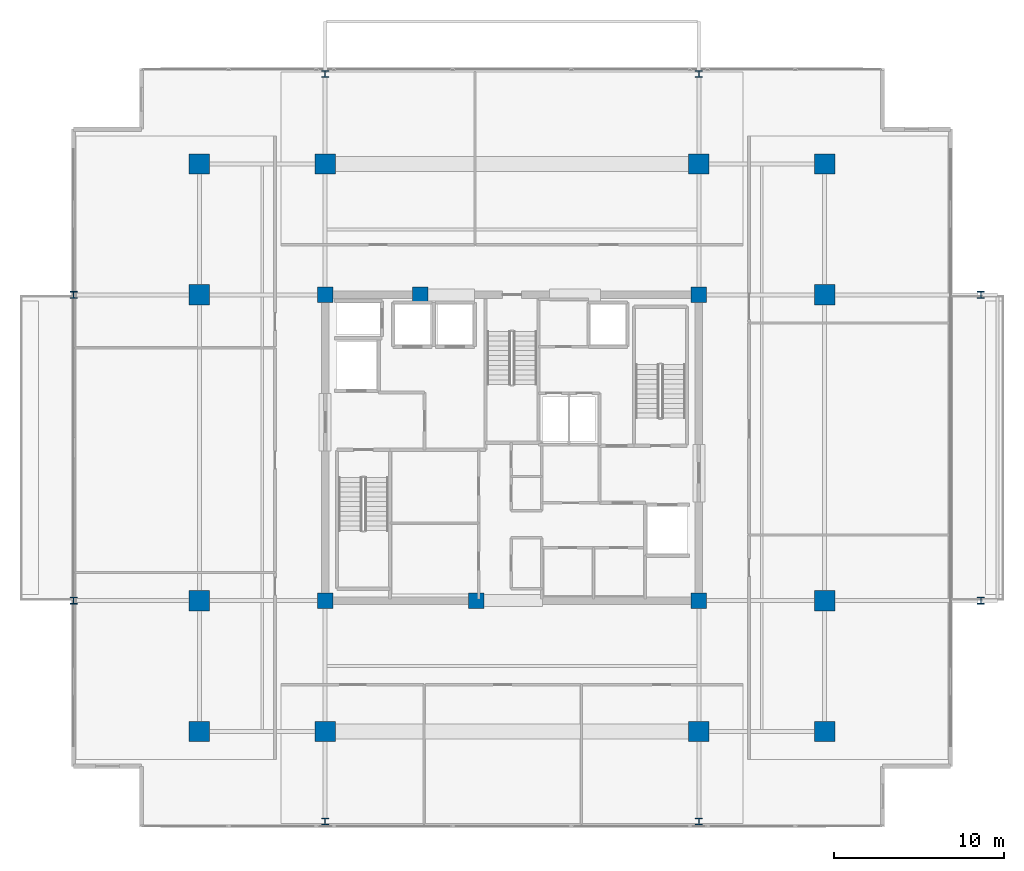
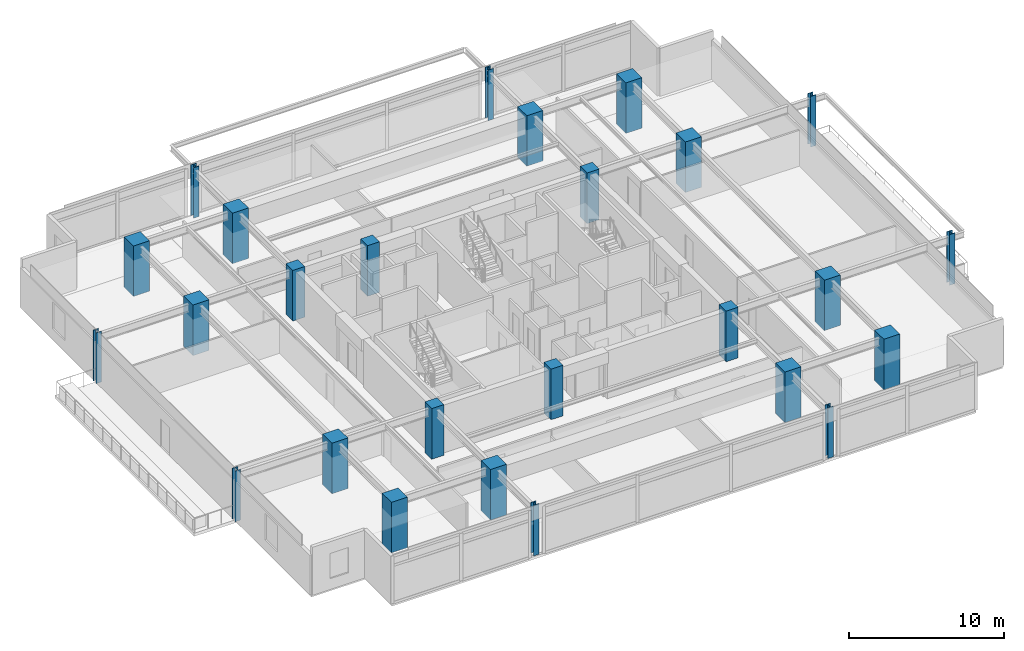
# One storey, part 1 of 20: 26 columns.
"""IFC4 building model written with IfcOpenShell, lengths in metres."""

from ifc_helpers import new_model, si_unit, direction, frame, origin, origin_2d, place, context, subcontext, project, spatial, rectangle, i_section, extrude, material, material_profile, profile_set, type_object, element, save


model = new_model("IFC4")

# Units and contexts
model_context = context("Model", 3, precision=1e-05, world=origin(), true_north=direction((0.0, 1.0)))
body_context = subcontext(model_context, "Body", "Model", "MODEL_VIEW")
ifc_project = project(units=[si_unit("LENGTHUNIT", "METRE"), si_unit("AREAUNIT", "SQUARE_METRE"), si_unit("VOLUMEUNIT", "CUBIC_METRE"), si_unit("PLANEANGLEUNIT", "RADIAN"), si_unit("MASSUNIT", "GRAM", prefix="KILO")], contexts=[model_context])

# Site, building, storey
site_placement = place(None, origin())
site = spatial("IfcSite", under=ifc_project, at=site_placement, CompositionType="ELEMENT")
building_placement = place(site_placement, origin())
building = spatial("IfcBuilding", under=site, at=building_placement, Name="Kovane Verandah Tower", CompositionType="ELEMENT")
storey_placement = place(building_placement, frame((0.0, 0.0, 279.199951171875)))
storey = spatial("IfcBuildingStorey", under=building, at=storey_placement, Name="L65", CompositionType="ELEMENT", Elevation=279.199951171875)

# Columns
ifc_material_1 = material(Name="Concrete C60/75", Category="concrete")
ifc_material_profile_1 = material_profile(ifc_material_1, rectangle(XDim=1.199951171875, YDim=1.199951171875, at=origin_2d()), Name="RC1200x1200")
ifc_profile_set_1 = profile_set([ifc_material_profile_1], Name="Concrete C60/75")
column_type_1 = type_object("IfcColumnType", Name="COL-RC1200", PredefinedType="COLUMN", material=ifc_profile_set_1)
for number, where, z_axis, x_axis, name in (
    (1, (29.0, 10.800048828125, 0.0), (0.0, 0.0, 1.0), (1.0, 0.0, 0.0), "L65 Tower Mega-Column MC-S1"),
    (2, (51.0, 10.800048828125, 0.0), (0.0, 0.0, 1.0), (1.0, 0.0, 0.0), "L65 Tower Mega-Column MC-S2"),
    (3, (29.0, 44.199951171875, 0.0), (0.0, 0.0, 1.0), (1.0, 0.0, 0.0), "L65 Tower Mega-Column MC-N1"),
    (4, (51.0, 44.199951171875, 0.0), (0.0, 0.0, 1.0), (1.0, 0.0, 0.0), "L65 Tower Mega-Column MC-N2"),
    (5, (21.60009765625, 18.5, 0.0), (0.0, 0.0, 1.0), (1.0, 0.0, 0.0), "L65 Tower Mega-Column MC-W1"),
    (6, (21.60009765625, 36.5, 0.0), (0.0, 0.0, 1.0), (1.0, 0.0, 0.0), "L65 Tower Mega-Column MC-W2"),
    (7, (58.39990234375, 18.5, 0.0), (0.0, 0.0, 1.0), (1.0, 0.0, 0.0), "L65 Tower Mega-Column MC-E1"),
    (8, (58.39990234375, 36.5, 0.0), (0.0, 0.0, 1.0), (1.0, 0.0, 0.0), "L65 Tower Mega-Column MC-E2"),
    (9, (21.60009765625, 10.800048828125, 0.0), (0.0, 0.0, 1.0), (1.0, 0.0, 0.0), "L65 Tower Mega-Column MC-SW"),
    (10, (58.39990234375, 10.800048828125, 0.0), (0.0, 0.0, 1.0), (1.0, 0.0, 0.0), "L65 Tower Mega-Column MC-SE"),
    (11, (21.60009765625, 44.199951171875, 0.0), (0.0, 0.0, 1.0), (1.0, 0.0, 0.0), "L65 Tower Mega-Column MC-NW"),
    (12, (58.39990234375, 44.199951171875, 0.0), (0.0, 0.0, 1.0), (1.0, 0.0, 0.0), "L65 Tower Mega-Column MC-NE"),
):
    element("IfcColumn", number, at=place(storey_placement, frame(where, z_axis=z_axis, x_axis=x_axis)), inside=storey, type_object=column_type_1, Name=name, PredefinedType="COLUMN", context=body_context, shape_type="SweptSolid", body=[
        extrude(rectangle(XDim=1.199951171875, YDim=1.199951171875, at=origin_2d()), origin(), (0.0, 0.0, 1.0), 4.0),
    ])
ifc_material_2 = material(Name="Steel S460", Category="steel")
ifc_material_profile_2 = material_profile(ifc_material_2, i_section(OverallWidth=0.403076171875, OverallDepth=0.406494140625, WebThickness=0.026611328125, FlangeThickness=0.04296875, FilletRadius=0.01513671875, at=origin_2d()), Name="UC356x406x340")
ifc_profile_set_2 = profile_set([ifc_material_profile_2], Name="Steel S460")
column_type_2 = type_object("IfcColumnType", Name="COL-UC340", PredefinedType="COLUMN", material=ifc_profile_set_2)
for number, where, z_axis, x_axis, name in (
    (13, (14.199951171875, 18.5, 0.0), (0.0, 0.0, 1.0), (1.0, 0.0, 0.0), "L65 Verandah Perimeter Column VC-W1"),
    (14, (14.199951171875, 36.5, 0.0), (0.0, 0.0, 1.0), (1.0, 0.0, 0.0), "L65 Verandah Perimeter Column VC-W2"),
    (15, (67.60009765625, 18.5, 0.0), (0.0, 0.0, 1.0), (1.0, 0.0, 0.0), "L65 Verandah Perimeter Column VC-E1"),
    (16, (67.60009765625, 36.5, 0.0), (0.0, 0.0, 1.0), (1.0, 0.0, 0.0), "L65 Verandah Perimeter Column VC-E2"),
    (17, (29.0, 5.5, 0.0), (0.0, 0.0, 1.0), (1.0, 0.0, 0.0), "L65 Verandah Perimeter Column VC-S1"),
    (18, (51.0, 5.5, 0.0), (0.0, 0.0, 1.0), (1.0, 0.0, 0.0), "L65 Verandah Perimeter Column VC-S2"),
    (19, (29.0, 49.5, 0.0), (0.0, 0.0, 1.0), (1.0, 0.0, 0.0), "L65 Verandah Perimeter Column VC-N1"),
    (20, (51.0, 49.5, 0.0), (0.0, 0.0, 1.0), (1.0, 0.0, 0.0), "L65 Verandah Perimeter Column VC-N2"),
):
    element("IfcColumn", number, at=place(storey_placement, frame(where, z_axis=z_axis, x_axis=x_axis)), inside=storey, type_object=column_type_2, Name=name, PredefinedType="COLUMN", context=body_context, shape_type="SweptSolid", body=[
        extrude(i_section(OverallWidth=0.403076171875, OverallDepth=0.406494140625, WebThickness=0.026611328125, FlangeThickness=0.04296875, FilletRadius=0.01513671875, at=origin_2d()), origin(), (0.0, 0.0, 1.0), 4.0),
    ])
ifc_material_profile_3 = material_profile(ifc_material_1, rectangle(XDim=0.89990234375, YDim=0.89990234375, at=origin_2d()), Name="RC900x900")
ifc_profile_set_3 = profile_set([ifc_material_profile_3], Name="Concrete C60/75")
column_type_3 = type_object("IfcColumnType", Name="PIL-RC900", PredefinedType="PILASTER", material=ifc_profile_set_3)
for number, where, z_axis, x_axis, name in (
    (21, (29.0, 18.5, 0.0), (0.0, 0.0, 1.0), (1.0, 0.0, 0.0), "L65 Core Pilaster CP-SW"),
    (22, (51.0, 18.5, 0.0), (0.0, 0.0, 1.0), (1.0, 0.0, 0.0), "L65 Core Pilaster CP-SE"),
    (23, (29.0, 36.5, 0.0), (0.0, 0.0, 1.0), (1.0, 0.0, 0.0), "L65 Core Pilaster CP-NW"),
    (24, (51.0, 36.5, 0.0), (0.0, 0.0, 1.0), (1.0, 0.0, 0.0), "L65 Core Pilaster CP-NE"),
    (25, (37.89990234375, 18.5, 0.0), (0.0, 0.0, 1.0), (1.0, 0.0, 0.0), "L65 Core Pilaster CP-S"),
    (26, (34.60009765625, 36.5, 0.0), (0.0, 0.0, 1.0), (1.0, 0.0, 0.0), "L65 Core Pilaster CP-N"),
):
    element("IfcColumn", number, at=place(storey_placement, frame(where, z_axis=z_axis, x_axis=x_axis)), inside=storey, type_object=column_type_3, Name=name, PredefinedType="PILASTER", context=body_context, shape_type="SweptSolid", body=[
        extrude(rectangle(XDim=0.89990234375, YDim=0.89990234375, at=origin_2d()), origin(), (0.0, 0.0, 1.0), 4.0),
    ])

save(model, "model.ifc")
